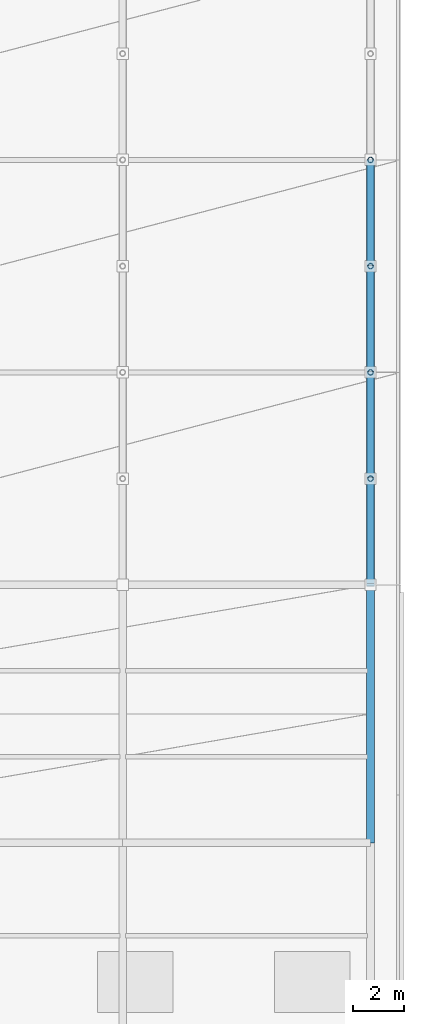
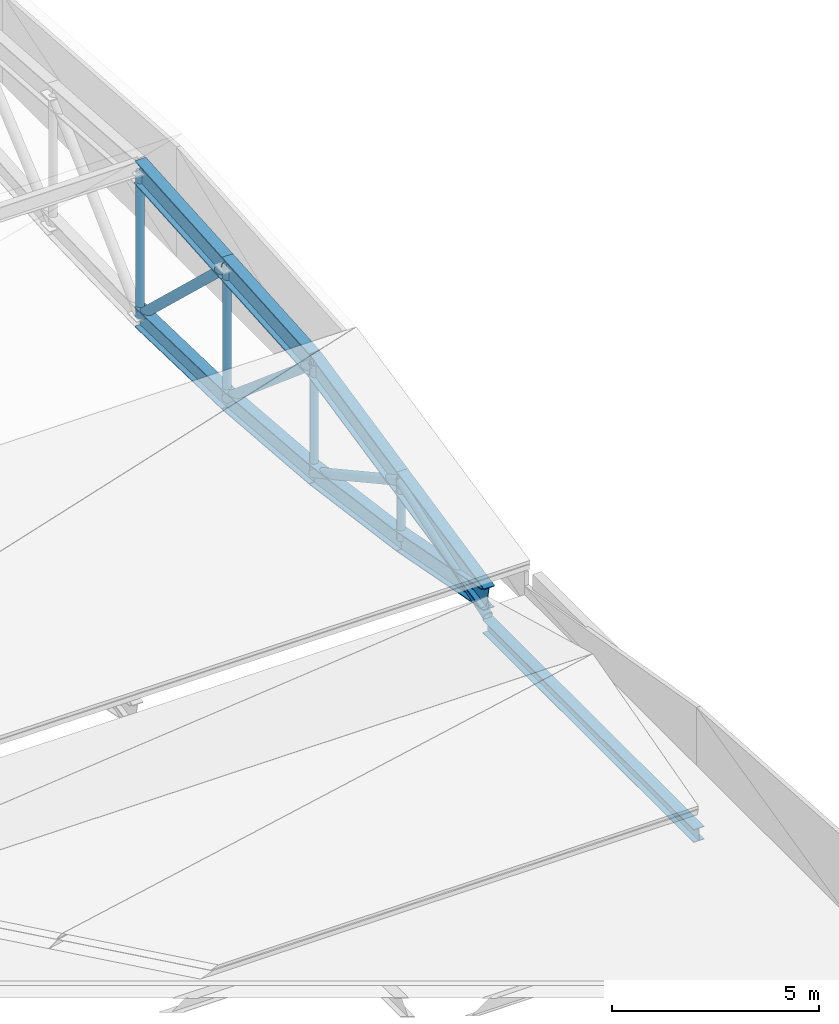
# One storey, part 56 of 87: 9 beams, 8 members.
"""IFC4 building model written with IfcOpenShell, lengths in metres."""

from ifc_helpers import new_model, si_unit, direction, frame, origin, origin_2d, place, context, subcontext, project, spatial, hollow_circle, i_section, extrude, material, material_profile, profile_set, type_object, element, save


model = new_model("IFC4")

# Units and contexts
model_context = context("Model", 3, precision=1e-05, world=origin(), true_north=direction((0.0, 1.0)))
body_context = subcontext(model_context, "Body", "Model", "MODEL_VIEW")
ifc_project = project(units=[si_unit("LENGTHUNIT", "METRE"), si_unit("AREAUNIT", "SQUARE_METRE"), si_unit("VOLUMEUNIT", "CUBIC_METRE"), si_unit("PLANEANGLEUNIT", "RADIAN"), si_unit("MASSUNIT", "GRAM", prefix="KILO")], contexts=[model_context])

# Site, building, storey
site_placement = place(None, origin())
site = spatial("IfcSite", under=ifc_project, at=site_placement, CompositionType="ELEMENT")
building_placement = place(site_placement, origin())
building = spatial("IfcBuilding", under=site, at=building_placement, Name="Sohan Crest Arena", CompositionType="ELEMENT")
storey_placement = place(building_placement, frame((0.0, 0.0, 18.0)))
storey = spatial("IfcBuildingStorey", under=building, at=storey_placement, Name="L04", CompositionType="ELEMENT", Elevation=18.0)

# Beams
ifc_material = material(Name="Steel S355", Category="steel")
ifc_material_profile_1 = material_profile(ifc_material, i_section(OverallWidth=0.300048828125, OverallDepth=0.389892578125, WebThickness=0.010986328125, FlangeThickness=0.01904296875, at=origin_2d()), Name="HEA 400")
ifc_profile_set_1 = profile_set([ifc_material_profile_1], Name="Steel S355")
beam_type_1 = type_object("IfcBeamType", Name="STR-BM-B09", PredefinedType="BEAM", material=ifc_profile_set_1)
beam_1_placement = place(storey_placement, frame((225.800048828125, 67.0, -0.43505859375), z_axis=(0.0, 1.0, 0.0), x_axis=(-1.0, 0.0, 0.0)))
element("IfcBeam", 1, at=beam_1_placement, inside=storey, type_object=beam_type_1, Name="Structural beam G-L04-2395", PredefinedType="BEAM", context=body_context, shape_type="SweptSolid", body=[
    extrude(i_section(OverallWidth=0.300048828125, OverallDepth=0.389892578125, WebThickness=0.010986328125, FlangeThickness=0.01904296875, at=origin_2d()), origin(), (0.0, 0.0, 1.0), 10.199951171875),
])
ifc_material_profile_2 = material_profile(ifc_material, i_section(OverallWidth=0.300048828125, OverallDepth=0.590087890625, WebThickness=0.012939453125, FlangeThickness=0.02490234375, at=origin_2d()), Name="HEA 600")
ifc_profile_set_2 = profile_set([ifc_material_profile_2], Name="Steel S355")
beam_type_2 = type_object("IfcBeamType", Name="STR-BM-B11", PredefinedType="BEAM", material=ifc_profile_set_2)
beam_2_placement = place(storey_placement, frame((225.800048828125, 77.199951171875, 0.35009765625), z_axis=(0.0, 0.981945733642, -0.189162829814), x_axis=(-1.0, 0.0, 0.0)))
element("IfcBeam", 2, at=beam_2_placement, inside=storey, type_object=beam_type_2, Name="Structural beam VAB-L04-2475", PredefinedType="BEAM", context=body_context, shape_type="SweptSolid", body=[
    extrude(i_section(OverallWidth=0.300048828125, OverallDepth=0.590087890625, WebThickness=0.012939453125, FlangeThickness=0.02490234375, at=origin_2d()), origin(), (0.0, 0.0, 1.0), 4.277099609375),
])
beam_3_placement = place(storey_placement, frame((225.800048828125, 81.39990234375, -0.458984375), z_axis=(0.0, 0.990659791804, -0.136356799988), x_axis=(-1.0, 0.0, 0.0)))
element("IfcBeam", 3, at=beam_3_placement, inside=storey, type_object=beam_type_2, Name="Structural beam VAB-L04-2477", PredefinedType="BEAM", context=body_context, shape_type="SweptSolid", body=[
    extrude(i_section(OverallWidth=0.300048828125, OverallDepth=0.590087890625, WebThickness=0.012939453125, FlangeThickness=0.02490234375, at=origin_2d()), origin(), (0.0, 0.0, 1.0), 4.23974609375),
])
beam_4_placement = place(storey_placement, frame((225.800048828125, 85.60009765625, -1.037109375), z_axis=(0.0, 0.996605824568, -0.082321506523), x_axis=(-1.0, 0.0, 0.0)))
element("IfcBeam", 4, at=beam_4_placement, inside=storey, type_object=beam_type_2, Name="Structural beam VAB-L04-2479", PredefinedType="BEAM", context=body_context, shape_type="SweptSolid", body=[
    extrude(i_section(OverallWidth=0.300048828125, OverallDepth=0.590087890625, WebThickness=0.012939453125, FlangeThickness=0.02490234375, at=origin_2d()), origin(), (0.0, 0.0, 1.0), 4.21435546875),
])
beam_5_placement = place(storey_placement, frame((225.800048828125, 89.800048828125, -1.384033203125), z_axis=(0.0, 0.99961902138, -0.02760094374), x_axis=(-1.0, 0.0, 0.0)))
element("IfcBeam", 5, at=beam_5_placement, inside=storey, type_object=beam_type_2, Name="Structural beam VAB-L04-2481", PredefinedType="BEAM", context=body_context, shape_type="SweptSolid", body=[
    extrude(i_section(OverallWidth=0.300048828125, OverallDepth=0.590087890625, WebThickness=0.012939453125, FlangeThickness=0.02490234375, at=origin_2d()), origin(), (0.0, 0.0, 1.0), 4.20166015625),
])
ifc_material_profile_3 = material_profile(ifc_material, i_section(OverallWidth=0.300048828125, OverallDepth=0.699951171875, WebThickness=0.01708984375, FlangeThickness=0.031982421875, at=origin_2d()), Name="HEB 700")
ifc_profile_set_3 = profile_set([ifc_material_profile_3], Name="Steel S355")
beam_type_3 = type_object("IfcBeamType", Name="STR-BM-B16", PredefinedType="BEAM", material=ifc_profile_set_3)
beam_6_placement = place(storey_placement, frame((225.800048828125, 77.199951171875, 0.3701171875), z_axis=(0.0, 0.977806572858, 0.209509680146), x_axis=(-1.0, 0.0, 0.0)))
element("IfcBeam", 6, at=beam_6_placement, inside=storey, type_object=beam_type_3, Name="Structural beam VA-L04-2474", PredefinedType="BEAM", context=body_context, shape_type="SweptSolid", body=[
    extrude(i_section(OverallWidth=0.300048828125, OverallDepth=0.699951171875, WebThickness=0.01708984375, FlangeThickness=0.031982421875, at=origin_2d()), origin(), (0.0, 0.0, 1.0), 4.295166015625),
])
beam_7_placement = place(storey_placement, frame((225.800048828125, 81.39990234375, 1.27001953125), z_axis=(0.0, 0.977809067572, 0.209498036682), x_axis=(-1.0, 0.0, 0.0)))
element("IfcBeam", 7, at=beam_7_placement, inside=storey, type_object=beam_type_3, Name="Structural beam VA-L04-2476", PredefinedType="BEAM", context=body_context, shape_type="SweptSolid", body=[
    extrude(i_section(OverallWidth=0.300048828125, OverallDepth=0.699951171875, WebThickness=0.01708984375, FlangeThickness=0.031982421875, at=origin_2d()), origin(), (0.0, 0.0, 1.0), 4.29541015625),
])
for number, where, z_axis, x_axis, name in (
    (8, (225.800048828125, 85.60009765625, 2.169921875), (0.0, 0.997457816785, 0.071259411546), (-1.0, 0.0, 0.0), "Structural beam VA-L04-2478"),
    (9, (225.800048828125, 89.800048828125, 2.469970703125), (0.0, 0.997457816785, 0.071259411546), (-1.0, 0.0, 0.0), "Structural beam VA-L04-2480"),
):
    element("IfcBeam", number, at=place(storey_placement, frame(where, z_axis=z_axis, x_axis=x_axis)), inside=storey, type_object=beam_type_3, Name=name, PredefinedType="BEAM", context=body_context, shape_type="SweptSolid", body=[
        extrude(i_section(OverallWidth=0.300048828125, OverallDepth=0.699951171875, WebThickness=0.01708984375, FlangeThickness=0.031982421875, at=origin_2d()), origin(), (0.0, 0.0, 1.0), 4.210693359375),
    ])

# Members
ifc_material_profile_4 = material_profile(ifc_material, hollow_circle(Radius=0.109619140625, WallThickness=0.010009765625, at=origin_2d()), Name="CHS 219.1x10")
ifc_profile_set_4 = profile_set([ifc_material_profile_4], Name="Steel S355")
member_type_1 = type_object("IfcMemberType", Name="STR-MEM-BR01", PredefinedType="BRACE", material=ifc_profile_set_4)
member_1_placement = place(storey_placement, frame((225.800048828125, 81.39990234375, -0.458984375), z_axis=(0.0, 0.0, 1.0), x_axis=(1.0, 0.0, 0.0)))
element("IfcMember", 10, at=member_1_placement, inside=storey, type_object=member_type_1, Name="Vault truss web strut VW-047", PredefinedType="BRACE", context=body_context, shape_type="SweptSolid", body=[
    extrude(hollow_circle(Radius=0.109619140625, WallThickness=0.010009765625, at=origin_2d()), origin(), (0.0, 0.0, 1.0), 1.72900390625),
])
member_2_placement = place(storey_placement, frame((225.800048828125, 85.60009765625, -1.037109375), z_axis=(0.0, 0.0, 1.0), x_axis=(1.0, 0.0, 0.0)))
element("IfcMember", 11, at=member_2_placement, inside=storey, type_object=member_type_1, Name="Vault truss web strut VW-049", PredefinedType="BRACE", context=body_context, shape_type="SweptSolid", body=[
    extrude(hollow_circle(Radius=0.109619140625, WallThickness=0.010009765625, at=origin_2d()), origin(), (0.0, 0.0, 1.0), 3.20703125),
])
member_3_placement = place(storey_placement, frame((225.800048828125, 89.800048828125, -1.384033203125), z_axis=(0.0, 0.0, 1.0), x_axis=(1.0, 0.0, 0.0)))
element("IfcMember", 12, at=member_3_placement, inside=storey, type_object=member_type_1, Name="Vault truss web strut VW-051", PredefinedType="BRACE", context=body_context, shape_type="SweptSolid", body=[
    extrude(hollow_circle(Radius=0.109619140625, WallThickness=0.010009765625, at=origin_2d()), origin(), (0.0, 0.0, 1.0), 3.85400390625),
])
member_4_placement = place(storey_placement, frame((225.800048828125, 94.0, -1.5), z_axis=(0.0, 0.0, 1.0), x_axis=(1.0, 0.0, 0.0)))
element("IfcMember", 13, at=member_4_placement, inside=storey, type_object=member_type_1, Name="Vault truss web strut VW-053", PredefinedType="BRACE", context=body_context, shape_type="SweptSolid", body=[
    extrude(hollow_circle(Radius=0.109619140625, WallThickness=0.010009765625, at=origin_2d()), origin(), (0.0, 0.0, 1.0), 4.27001953125),
])
ifc_material_profile_5 = material_profile(ifc_material, hollow_circle(Radius=0.136474609375, WallThickness=0.012451171875, at=origin_2d()), Name="CHS 273x12.5")
ifc_profile_set_5 = profile_set([ifc_material_profile_5], Name="Steel S355")
member_type_2 = type_object("IfcMemberType", Name="STR-MEM-BR02", PredefinedType="BRACE", material=ifc_profile_set_5)
member_5_placement = place(storey_placement, frame((225.800048828125, 77.199951171875, -0.18994140625), z_axis=(0.0, 0.944559001123, 0.328341732646), x_axis=(-1.0, 0.0, 0.0)))
element("IfcMember", 14, at=member_5_placement, inside=storey, type_object=member_type_2, Name="Vault truss diagonal VDG-046", PredefinedType="BRACE", context=body_context, shape_type="SweptSolid", body=[
    extrude(hollow_circle(Radius=0.136474609375, WallThickness=0.012451171875, at=origin_2d()), origin(), (0.0, 0.0, 1.0), 4.446533203125),
])
member_6_placement = place(storey_placement, frame((225.800048828125, 85.60009765625, -1.037109375), z_axis=(0.0, -0.876478234726, 0.481441485594), x_axis=(1.0, 0.0, 0.0)))
element("IfcMember", 15, at=member_6_placement, inside=storey, type_object=member_type_2, Name="Vault truss diagonal VDG-048", PredefinedType="BRACE", context=body_context, shape_type="SweptSolid", body=[
    extrude(hollow_circle(Radius=0.136474609375, WallThickness=0.012451171875, at=origin_2d()), origin(), (0.0, 0.0, 1.0), 4.792236328125),
])
member_7_placement = place(storey_placement, frame((225.800048828125, 89.800048828125, -1.384033203125), z_axis=(0.0, -0.763372819868, 0.645958154904), x_axis=(1.0, 0.0, 0.0)))
element("IfcMember", 16, at=member_7_placement, inside=storey, type_object=member_type_2, Name="Vault truss diagonal VDG-050", PredefinedType="BRACE", context=body_context, shape_type="SweptSolid", body=[
    extrude(hollow_circle(Radius=0.136474609375, WallThickness=0.012451171875, at=origin_2d()), origin(), (0.0, 0.0, 1.0), 5.501953125),
])
member_8_placement = place(storey_placement, frame((225.800048828125, 94.0, -1.5), z_axis=(0.0, -0.726723719959, 0.686929861667), x_axis=(1.0, 0.0, 0.0)))
element("IfcMember", 17, at=member_8_placement, inside=storey, type_object=member_type_2, Name="Vault truss diagonal VDG-052", PredefinedType="BRACE", context=body_context, shape_type="SweptSolid", body=[
    extrude(hollow_circle(Radius=0.136474609375, WallThickness=0.012451171875, at=origin_2d()), origin(), (0.0, 0.0, 1.0), 5.779296875),
])

save(model, "model.ifc")
